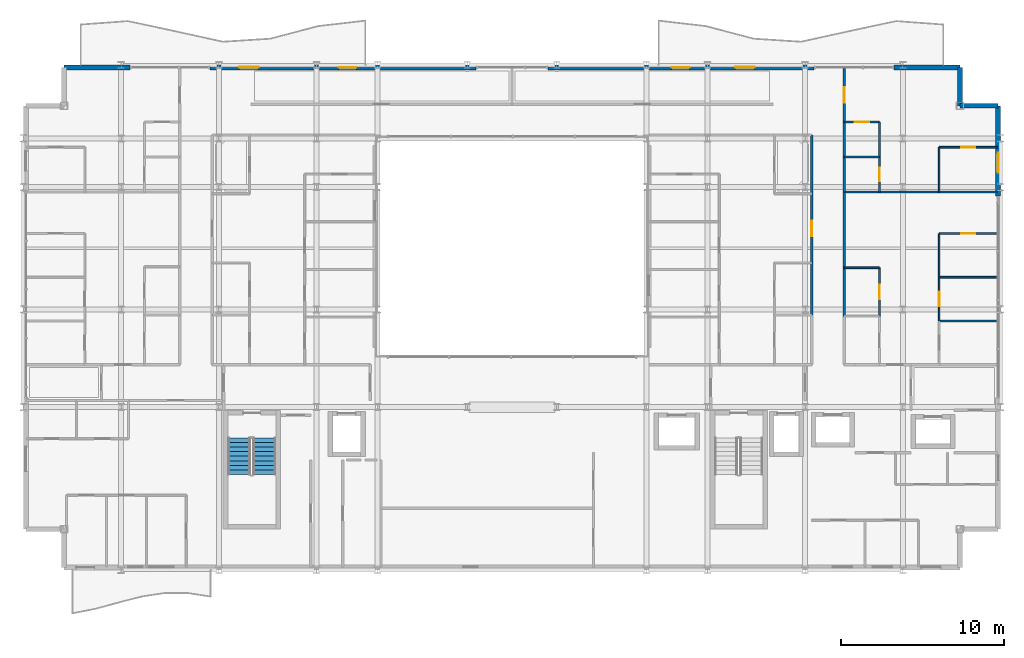
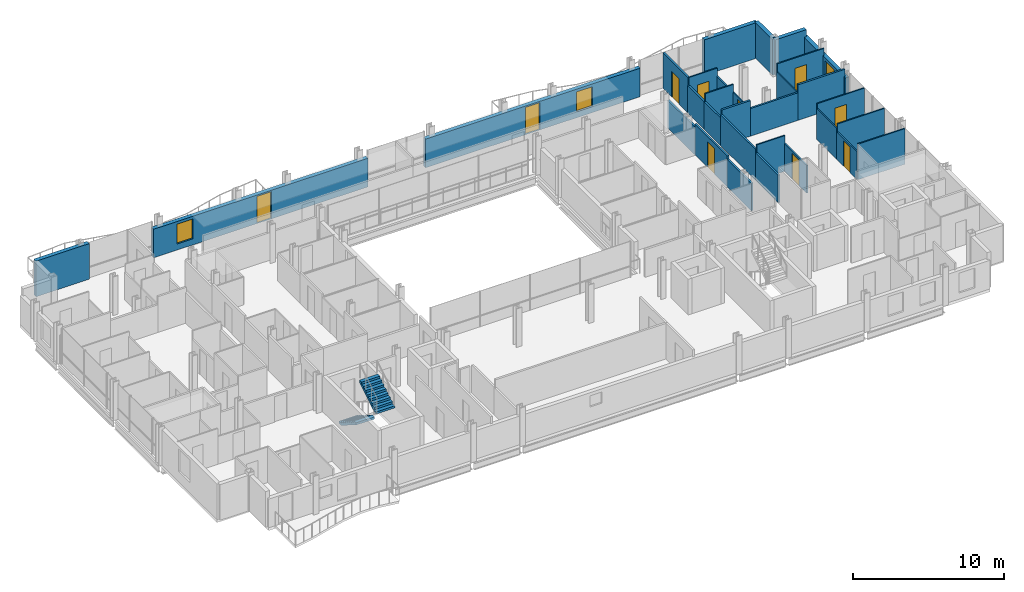
# One storey, part 36 of 41: 31 walls, 10 doors, 3 windows, 2 stair flights, 13 openings, 1 element without a shape of its own.
"""IFC4 building model written with IfcOpenShell, lengths in metres."""

from ifc_helpers import new_model, si_unit, direction, frame, frame_2d, origin, place, context, subcontext, project, spatial, polyline, rectangle, outline, extrude, material, layer, layer_set, type_object, element, fill, aggregate, save


model = new_model("IFC4")

# Units and contexts
model_context = context("Model", 3, precision=1e-05, world=origin(), true_north=direction((0.0, 1.0)))
body_context = subcontext(model_context, "Body", "Model", "MODEL_VIEW")
ifc_project = project(units=[si_unit("LENGTHUNIT", "METRE"), si_unit("AREAUNIT", "SQUARE_METRE"), si_unit("VOLUMEUNIT", "CUBIC_METRE"), si_unit("PLANEANGLEUNIT", "RADIAN"), si_unit("MASSUNIT", "GRAM", prefix="KILO")], contexts=[model_context])

# Site, building, storey
site_placement = place(None, origin())
site = spatial("IfcSite", under=ifc_project, at=site_placement, CompositionType="ELEMENT")
building_placement = place(site_placement, origin())
building = spatial("IfcBuilding", under=site, at=building_placement, Name="Brevholm Reach", CompositionType="ELEMENT")
storey_placement = place(building_placement, frame((0.0, 0.0, 74.5)))
storey = spatial("IfcBuildingStorey", under=building, at=storey_placement, Name="L21", CompositionType="ELEMENT", Elevation=74.5)

# Walls
ifc_material_1 = material(Name="Concrete C40/50", Category="concrete")
ifc_layer_1 = layer(ifc_material_1, 0.300048828125)
ifc_layer_set_1 = layer_set([ifc_layer_1], Name="Concrete C40/50")
wall_type_1 = type_object("IfcWallType", Name="WAL-EXT-300", PredefinedType="STANDARD", material=ifc_layer_set_1)
for number, where, z_axis, x_axis, name in (
    (1, (59.85009765625, 28.5, 0.0), (0.0, 0.0, 1.0), (-1.0, 0.0, 0.0), "L21 Facade Wall WAL-L21-CNE1"),
    (2, (57.5, 28.5, 0.0), (0.0, 0.0, 1.0), (0.0, 1.0, 0.0), "L21 Facade Wall WAL-L21-CNE2"),
):
    element("IfcWall", number, at=place(storey_placement, frame(where, z_axis=z_axis, x_axis=x_axis)), inside=storey, type_object=wall_type_1, Name=name, PredefinedType="STANDARD", context=body_context, shape_type="SweptSolid", body=[
        extrude(rectangle(XDim=2.35009765625, YDim=0.300048828125, at=frame_2d((1.175048828125, 0.0))), origin(), (0.0, 0.0, 1.0), 2.8701171875),
    ])

# Wall, opening, window
wall_1_placement = place(storey_placement, frame((59.85009765625, 22.949951171875, 0.0), z_axis=(0.0, 0.0, 1.0), x_axis=(0.0, 1.0, 0.0)))
wall_1 = element("IfcWall", 3, at=wall_1_placement, inside=storey, type_object=wall_type_1, Name="L21 Facade Wall WAL-L21-E-N", PredefinedType="STANDARD", context=body_context, shape_type="SweptSolid", body=[
    extrude(rectangle(XDim=5.550048828125, YDim=0.300048828125, at=frame_2d((2.77490234375, 0.0))), origin(), (0.0, 0.0, 1.0), 2.305419921875),
])
opening_1_placement = place(wall_1_placement, frame((1.449951171875, 0.0, 0.485107421875)))
opening_1 = element("IfcOpeningElement", 4, at=opening_1_placement, cuts=wall_1, Name="Opening WN-08", PredefinedType="OPENING", context=body_context, shape_type="SweptSolid", body=[
    extrude(rectangle(XDim=1.199951171875, YDim=1.60009765625, at=frame_2d((0.60009765625, 0.800048828125))), frame((0.0, 0.159912109375, 0.0), z_axis=(0.0, -1.0, 0.0), x_axis=(1.0, 0.0, 0.0)), (0.0, 0.0, 1.0), 0.320068359375),
])
ifc_material_2 = material(Name="Dark Anodised Aluminium and Solar-Control IGU Glass", Category="aluminium")
window_type = type_object("IfcWindowType", Name="WIN-RES-1200", PartitioningType="SINGLE_PANEL", PredefinedType="WINDOW", material=ifc_material_2)
window_1_placement = place(opening_1_placement, origin())
window_1 = element("IfcWindow", 5, at=window_1_placement, inside=storey, type_object=window_type, Name="L21 Window WIN-L21-EN-1", OverallHeight=1.60009765625, OverallWidth=1.199951171875, PartitioningType="SINGLE_PANEL", PredefinedType="WINDOW", context=body_context, shape_type="SweptSolid", body=[
    extrude(rectangle(XDim=1.199951171875, YDim=1.60009765625, at=frame_2d((0.60009765625, 0.800048828125))), frame((0.0, 0.030029296875, 0.0), z_axis=(0.0, -1.0, 0.0), x_axis=(1.0, 0.0, 0.0)), (0.0, 0.0, 1.0), 0.06005859375),
])
fill(opening_1, window_1)

# Walls
for number, where, z_axis, x_axis, name in (
    (6, (2.5, 30.85009765625, 0.0), (0.0, 0.0, 1.0), (1.0, 0.0, 0.0), "L21 Facade Wall WAL-L21-NP-W0"),
    (7, (53.449951171875, 30.85009765625, 0.0), (0.0, 0.0, 1.0), (1.0, 0.0, 0.0), "L21 Facade Wall WAL-L21-NP-E0"),
):
    element("IfcWall", number, at=place(storey_placement, frame(where, z_axis=z_axis, x_axis=x_axis)), inside=storey, type_object=wall_type_1, Name=name, PredefinedType="STANDARD", context=body_context, shape_type="SweptSolid", body=[
        extrude(rectangle(XDim=4.050048828125, YDim=0.300048828125, at=frame_2d((2.02490234375, 0.0))), origin(), (0.0, 0.0, 1.0), 2.8701171875),
    ])

# Wall, openings, door, window
wall_2_placement = place(storey_placement, frame((11.449951171875, 30.85009765625, 0.0), z_axis=(0.0, 0.0, 1.0), x_axis=(1.0, 0.0, 0.0)))
wall_2 = element("IfcWall", 8, at=wall_2_placement, inside=storey, type_object=wall_type_1, Name="L21 Facade Wall WAL-L21-NP-WL", PredefinedType="STANDARD", context=body_context, shape_type="SweptSolid", body=[
    extrude(rectangle(XDim=16.35009765625, YDim=0.300048828125, at=frame_2d((8.175048828125, 0.0))), origin(), (0.0, 0.0, 1.0), 2.305419921875),
])
opening_2_placement = place(wall_2_placement, frame((7.89794921875, 0.0, 0.0)))
opening_2 = element("IfcOpeningElement", 9, at=opening_2_placement, cuts=wall_2, Name="Opening BD-01", PredefinedType="OPENING", context=body_context, shape_type="SweptSolid", body=[
    extrude(rectangle(XDim=1.10009765625, YDim=2.199951171875, at=frame_2d((0.550048828125, 1.10009765625))), frame((0.0, 0.159912109375, 0.0), z_axis=(0.0, -1.0, 0.0), x_axis=(1.0, 0.0, 0.0)), (0.0, 0.0, 1.0), 0.320068359375),
])
opening_3_placement = place(wall_2_placement, frame((1.800048828125, 0.0, 0.485107421875)))
opening_3 = element("IfcOpeningElement", 10, at=opening_3_placement, cuts=wall_2, Name="Opening WN-08", PredefinedType="OPENING", context=body_context, shape_type="SweptSolid", body=[
    extrude(rectangle(XDim=1.199951171875, YDim=1.60009765625, at=frame_2d((0.60009765625, 0.800048828125))), frame((0.0, 0.159912109375, 0.0), z_axis=(0.0, -1.0, 0.0), x_axis=(1.0, 0.0, 0.0)), (0.0, 0.0, 1.0), 0.320068359375),
])
ifc_material_3 = material(Name="Dark Anodised Aluminium and Triple-Glazed Glass", Category="aluminium")
door_type_1 = type_object("IfcDoorType", Name="DOR-BALC-1100", OperationType="NOTDEFINED", PredefinedType="DOOR", material=ifc_material_3)
door_1_placement = place(opening_2_placement, origin())
door_1 = element("IfcDoor", 11, at=door_1_placement, inside=storey, type_object=door_type_1, Name="L21 Exterior Door DOR-L21-BL-NW", OperationType="SINGLE_SWING_RIGHT", OverallHeight=2.199951171875, OverallWidth=1.10009765625, PredefinedType="DOOR", context=body_context, shape_type="SweptSolid", body=[
    extrude(rectangle(XDim=1.10009765625, YDim=2.199951171875, at=frame_2d((0.550048828125, 1.10009765625))), frame((0.0, 0.02490234375, 0.0), z_axis=(0.0, -1.0, 0.0), x_axis=(1.0, 0.0, 0.0)), (0.0, 0.0, 1.0), 0.050048828125),
])
fill(opening_2, door_1)
window_2_placement = place(opening_3_placement, origin())
window_2 = element("IfcWindow", 12, at=window_2_placement, inside=storey, type_object=window_type, Name="L21 Window WIN-L21-NP-WL1", OverallHeight=1.60009765625, OverallWidth=1.199951171875, PartitioningType="SINGLE_PANEL", PredefinedType="WINDOW", context=body_context, shape_type="SweptSolid", body=[
    extrude(rectangle(XDim=1.199951171875, YDim=1.60009765625, at=frame_2d((0.60009765625, 0.800048828125))), frame((0.0, 0.030029296875, 0.0), z_axis=(0.0, -1.0, 0.0), x_axis=(1.0, 0.0, 0.0)), (0.0, 0.0, 1.0), 0.06005859375),
])
fill(opening_3, window_2)

wall_3_placement = place(storey_placement, frame((32.199951171875, 30.85009765625, 0.0), z_axis=(0.0, 0.0, 1.0), x_axis=(1.0, 0.0, 0.0)))
wall_3 = element("IfcWall", 13, at=wall_3_placement, inside=storey, type_object=wall_type_1, Name="L21 Facade Wall WAL-L21-NP-ER", PredefinedType="STANDARD", context=body_context, shape_type="SweptSolid", body=[
    extrude(rectangle(XDim=16.35009765625, YDim=0.300048828125, at=frame_2d((8.175048828125, 0.0))), origin(), (0.0, 0.0, 1.0), 2.305419921875),
])
opening_4_placement = place(wall_3_placement, frame((7.60009765625, 0.0, 0.0)))
opening_4 = element("IfcOpeningElement", 14, at=opening_4_placement, cuts=wall_3, Name="Opening BD-01", PredefinedType="OPENING", context=body_context, shape_type="SweptSolid", body=[
    extrude(rectangle(XDim=1.10009765625, YDim=2.199951171875, at=frame_2d((0.550048828125, 1.10009765625))), frame((0.0, 0.159912109375, 0.0), z_axis=(0.0, -1.0, 0.0), x_axis=(1.0, 0.0, 0.0)), (0.0, 0.0, 1.0), 0.320068359375),
])
opening_5_placement = place(wall_3_placement, frame((11.5, 0.0, 0.485107421875)))
opening_5 = element("IfcOpeningElement", 15, at=opening_5_placement, cuts=wall_3, Name="Opening WN-08", PredefinedType="OPENING", context=body_context, shape_type="SweptSolid", body=[
    extrude(rectangle(XDim=1.199951171875, YDim=1.60009765625, at=frame_2d((0.60009765625, 0.800048828125))), frame((0.0, 0.159912109375, 0.0), z_axis=(0.0, -1.0, 0.0), x_axis=(1.0, 0.0, 0.0)), (0.0, 0.0, 1.0), 0.320068359375),
])
door_2_placement = place(opening_4_placement, origin())
door_2 = element("IfcDoor", 16, at=door_2_placement, inside=storey, type_object=door_type_1, Name="L21 Exterior Door DOR-L21-BL-NE", OperationType="SINGLE_SWING_LEFT", OverallHeight=2.199951171875, OverallWidth=1.10009765625, PredefinedType="DOOR", context=body_context, shape_type="SweptSolid", body=[
    extrude(rectangle(XDim=1.10009765625, YDim=2.199951171875, at=frame_2d((0.550048828125, 1.10009765625))), frame((0.0, 0.02490234375, 0.0), z_axis=(0.0, -1.0, 0.0), x_axis=(1.0, 0.0, 0.0)), (0.0, 0.0, 1.0), 0.050048828125),
])
fill(opening_4, door_2)
window_3_placement = place(opening_5_placement, origin())
window_3 = element("IfcWindow", 17, at=window_3_placement, inside=storey, type_object=window_type, Name="L21 Window WIN-L21-NP-ER1", OverallHeight=1.60009765625, OverallWidth=1.199951171875, PartitioningType="SINGLE_PANEL", PredefinedType="WINDOW", context=body_context, shape_type="SweptSolid", body=[
    extrude(rectangle(XDim=1.199951171875, YDim=1.60009765625, at=frame_2d((0.60009765625, 0.800048828125))), frame((0.0, 0.030029296875, 0.0), z_axis=(0.0, -1.0, 0.0), x_axis=(1.0, 0.0, 0.0)), (0.0, 0.0, 1.0), 0.06005859375),
])
fill(opening_5, window_3)

# Wall, opening, door
ifc_material_4 = material(Name="Moisture-Resistant Acoustic Gypsum Stud Partition 100 mm", Category="gypsum")
ifc_layer_2 = layer(ifc_material_4, 0.10009765625)
ifc_layer_set_2 = layer_set([ifc_layer_2], Name="Moisture-Resistant Acoustic Gypsum Stud Partition 100 mm")
wall_type_2 = type_object("IfcWallType", Name="WAL-PRT-100", PredefinedType="PARTITIONING", material=ifc_layer_set_2)
wall_4_placement = place(storey_placement, frame((52.56201171875, 15.5859375, 0.0), z_axis=(0.0, 0.0, 1.0), x_axis=(0.0, 1.0, 0.0)))
wall_4 = element("IfcWall", 18, at=wall_4_placement, inside=storey, type_object=wall_type_2, Name="L21 Internal Partition 136", PredefinedType="PARTITIONING", context=body_context, shape_type="SweptSolid", body=[
    extrude(rectangle(XDim=2.964111328125, YDim=0.10009765625, at=frame_2d((1.48193359375, 0.0))), origin(), (0.0, 0.0, 1.0), 2.224853515625),
])
opening_6_placement = place(wall_4_placement, frame((1.0419921875, 0.0, 0.0)))
opening_6 = element("IfcOpeningElement", 19, at=opening_6_placement, cuts=wall_4, Name="Opening ID-01", PredefinedType="OPENING", context=body_context, shape_type="SweptSolid", body=[
    extrude(rectangle(XDim=0.8798828125, YDim=2.0400390625, at=frame_2d((0.43994140625, 1.02001953125))), frame((0.0, 0.06005859375, 0.0), z_axis=(0.0, -1.0, 0.0), x_axis=(1.0, 0.0, 0.0)), (0.0, 0.0, 1.0), 0.1201171875),
])
ifc_material_5 = material(Name="Lacquered Ash Solid-Core Acoustic Internal Door", Category="timber")
door_type_2 = type_object("IfcDoorType", Name="DOR-INT-880", OperationType="NOTDEFINED", PredefinedType="DOOR", material=ifc_material_5)
door_3_placement = place(opening_6_placement, origin())
door_3 = element("IfcDoor", 20, at=door_3_placement, inside=storey, type_object=door_type_2, Name="L21 Internal Door 053", OperationType="SINGLE_SWING_LEFT", OverallHeight=2.0400390625, OverallWidth=0.8798828125, PredefinedType="DOOR", context=body_context, shape_type="SweptSolid", body=[
    extrude(rectangle(XDim=0.8798828125, YDim=2.0400390625, at=frame_2d((0.43994140625, 1.02001953125))), frame((0.0, 0.02490234375, 0.0), z_axis=(0.0, -1.0, 0.0), x_axis=(1.0, 0.0, 0.0)), (0.0, 0.0, 1.0), 0.050048828125),
])
fill(opening_6, door_3)

# Walls
wall_5_placement = place(storey_placement, frame((50.404052734375, 18.550048828125, 0.0), z_axis=(0.0, 0.0, 1.0), x_axis=(1.0, 0.0, 0.0)))
element("IfcWall", 21, at=wall_5_placement, inside=storey, type_object=wall_type_2, Name="L21 Internal Partition 137", PredefinedType="PARTITIONING", context=body_context, shape_type="SweptSolid", body=[
    extrude(rectangle(XDim=2.157958984375, YDim=0.10009765625, at=frame_2d((1.0791015625, 0.0))), origin(), (0.0, 0.0, 1.0), 2.8701171875),
])
for number, where, z_axis, x_axis, name in (
    (22, (56.22802734375, 15.284912109375, 0.0), (0.0, 0.0, 1.0), (1.0, 0.0, 0.0), "L21 Internal Partition 138"),
    (23, (56.22802734375, 17.969970703125, 0.0), (0.0, 0.0, 1.0), (1.0, 0.0, 0.0), "L21 Internal Partition 140"),
):
    element("IfcWall", number, at=place(storey_placement, frame(where, z_axis=z_axis, x_axis=x_axis)), inside=storey, type_object=wall_type_2, Name=name, PredefinedType="PARTITIONING", context=body_context, shape_type="SweptSolid", body=[
        extrude(rectangle(XDim=3.572021484375, YDim=0.10009765625, at=frame_2d((1.7861328125, 0.0))), origin(), (0.0, 0.0, 1.0), 2.8701171875),
    ])

# Wall, opening, door
wall_6_placement = place(storey_placement, frame((56.22802734375, 15.2890625, 0.0), z_axis=(0.0, 0.0, 1.0), x_axis=(0.0, 1.0, 0.0)))
wall_6 = element("IfcWall", 24, at=wall_6_placement, inside=storey, type_object=wall_type_2, Name="L21 Internal Partition 141", PredefinedType="PARTITIONING", context=body_context, shape_type="SweptSolid", body=[
    extrude(rectangle(XDim=2.680908203125, YDim=0.10009765625, at=frame_2d((1.34033203125, 0.0))), origin(), (0.0, 0.0, 1.0), 2.224853515625),
])
opening_7_placement = place(wall_6_placement, frame((0.900390625, 0.0, 0.0)))
opening_7 = element("IfcOpeningElement", 25, at=opening_7_placement, cuts=wall_6, Name="Opening ID-01", PredefinedType="OPENING", context=body_context, shape_type="SweptSolid", body=[
    extrude(rectangle(XDim=0.8798828125, YDim=2.0400390625, at=frame_2d((0.43994140625, 1.02001953125))), frame((0.0, 0.06005859375, 0.0), z_axis=(0.0, -1.0, 0.0), x_axis=(1.0, 0.0, 0.0)), (0.0, 0.0, 1.0), 0.1201171875),
])
door_4_placement = place(opening_7_placement, origin())
door_4 = element("IfcDoor", 26, at=door_4_placement, inside=storey, type_object=door_type_2, Name="L21 Internal Door 055", OperationType="SINGLE_SWING_LEFT", OverallHeight=2.0400390625, OverallWidth=0.8798828125, PredefinedType="DOOR", context=body_context, shape_type="SweptSolid", body=[
    extrude(rectangle(XDim=0.8798828125, YDim=2.0400390625, at=frame_2d((0.43994140625, 1.02001953125))), frame((0.0, 0.02490234375, 0.0), z_axis=(0.0, -1.0, 0.0), x_axis=(1.0, 0.0, 0.0)), (0.0, 0.0, 1.0), 0.050048828125),
])
fill(opening_7, door_4)

wall_7_placement = place(storey_placement, frame((56.22802734375, 20.655029296875, 0.0), z_axis=(0.0, 0.0, 1.0), x_axis=(1.0, 0.0, 0.0)))
wall_7 = element("IfcWall", 27, at=wall_7_placement, inside=storey, type_object=wall_type_2, Name="L21 Internal Partition 142", PredefinedType="PARTITIONING", context=body_context, shape_type="SweptSolid", body=[
    extrude(rectangle(XDim=3.572021484375, YDim=0.10009765625, at=frame_2d((1.7861328125, 0.0))), origin(), (0.0, 0.0, 1.0), 2.8701171875),
])
opening_8_placement = place(wall_7_placement, frame((1.345947265625, 0.0, 0.0)))
opening_8 = element("IfcOpeningElement", 28, at=opening_8_placement, cuts=wall_7, Name="Opening ID-01", PredefinedType="OPENING", context=body_context, shape_type="SweptSolid", body=[
    extrude(rectangle(XDim=0.8798828125, YDim=2.0400390625, at=frame_2d((0.43994140625, 1.02001953125))), frame((0.0, 0.06005859375, 0.0), z_axis=(0.0, -1.0, 0.0), x_axis=(1.0, 0.0, 0.0)), (0.0, 0.0, 1.0), 0.1201171875),
])
door_5_placement = place(opening_8_placement, origin())
door_5 = element("IfcDoor", 29, at=door_5_placement, inside=storey, type_object=door_type_2, Name="L21 Internal Door 056", OperationType="SINGLE_SWING_RIGHT", OverallHeight=2.0400390625, OverallWidth=0.8798828125, PredefinedType="DOOR", context=body_context, shape_type="SweptSolid", body=[
    extrude(rectangle(XDim=0.8798828125, YDim=2.0400390625, at=frame_2d((0.43994140625, 1.02001953125))), frame((0.0, 0.02490234375, 0.0), z_axis=(0.0, -1.0, 0.0), x_axis=(1.0, 0.0, 0.0)), (0.0, 0.0, 1.0), 0.050048828125),
])
fill(opening_8, door_5)

# Walls
wall_8_placement = place(storey_placement, frame((56.22802734375, 17.97412109375, 0.0), z_axis=(0.0, 0.0, 1.0), x_axis=(0.0, 1.0, 0.0)))
element("IfcWall", 30, at=wall_8_placement, inside=storey, type_object=wall_type_2, Name="L21 Internal Partition 143", PredefinedType="PARTITIONING", context=body_context, shape_type="SweptSolid", body=[
    extrude(rectangle(XDim=2.680908203125, YDim=0.10009765625, at=frame_2d((1.34033203125, 0.0))), origin(), (0.0, 0.0, 1.0), 2.489990234375),
])
wall_9_placement = place(storey_placement, frame((50.404052734375, 25.35009765625, 0.0), z_axis=(0.0, 0.0, 1.0), x_axis=(1.0, 0.0, 0.0)))
element("IfcWall", 31, at=wall_9_placement, inside=storey, type_object=wall_type_2, Name="L21 Internal Partition 147", PredefinedType="PARTITIONING", context=body_context, shape_type="SweptSolid", body=[
    extrude(rectangle(XDim=2.157958984375, YDim=0.10009765625, at=frame_2d((1.0791015625, 0.0))), origin(), (0.0, 0.0, 1.0), 2.8701171875),
])

# Wall, opening, door
wall_10_placement = place(storey_placement, frame((52.56201171875, 23.2041015625, 0.0), z_axis=(0.0, 0.0, 1.0), x_axis=(0.0, 1.0, 0.0)))
wall_10 = element("IfcWall", 32, at=wall_10_placement, inside=storey, type_object=wall_type_2, Name="L21 Internal Partition 148", PredefinedType="PARTITIONING", context=body_context, shape_type="SweptSolid", body=[
    extrude(rectangle(XDim=2.14599609375, YDim=0.10009765625, at=frame_2d((1.072998046875, 0.0))), origin(), (0.0, 0.0, 1.0), 2.224853515625),
])
opening_9_placement = place(wall_10_placement, frame((0.6630859375, 0.0, 0.0)))
opening_9 = element("IfcOpeningElement", 33, at=opening_9_placement, cuts=wall_10, Name="Opening ID-03", PredefinedType="OPENING", context=body_context, shape_type="SweptSolid", body=[
    extrude(rectangle(XDim=0.820068359375, YDim=2.02001953125, at=frame_2d((0.41015625, 1.010009765625))), frame((0.0, 0.06005859375, 0.0), z_axis=(0.0, -1.0, 0.0), x_axis=(1.0, 0.0, 0.0)), (0.0, 0.0, 1.0), 0.1201171875),
])
ifc_material_6 = material(Name="Moisture-Resistant Painted Timber Internal Bathroom Door", Category="wood")
door_type_3 = type_object("IfcDoorType", Name="DOR-BATH-820", OperationType="NOTDEFINED", PredefinedType="DOOR", material=ifc_material_6)
door_6_placement = place(opening_9_placement, origin())
door_6 = element("IfcDoor", 34, at=door_6_placement, inside=storey, type_object=door_type_3, Name="L21 Internal Door 057", OperationType="SINGLE_SWING_LEFT", OverallHeight=2.02001953125, OverallWidth=0.820068359375, PredefinedType="DOOR", context=body_context, shape_type="SweptSolid", body=[
    extrude(rectangle(XDim=0.820068359375, YDim=2.02001953125, at=frame_2d((0.41015625, 1.010009765625))), frame((0.0, 0.02490234375, 0.0), z_axis=(0.0, -1.0, 0.0), x_axis=(1.0, 0.0, 0.0)), (0.0, 0.0, 1.0), 0.050048828125),
])
fill(opening_9, door_6)

# Wall
wall_11_placement = place(storey_placement, frame((52.56201171875, 25.35400390625, 0.0), z_axis=(0.0, 0.0, 1.0), x_axis=(0.0, 1.0, 0.0)))
element("IfcWall", 35, at=wall_11_placement, inside=storey, type_object=wall_type_2, Name="L21 Internal Partition 149", PredefinedType="PARTITIONING", context=body_context, shape_type="SweptSolid", body=[
    extrude(rectangle(XDim=2.14599609375, YDim=0.10009765625, at=frame_2d((1.072998046875, 0.0))), origin(), (0.0, 0.0, 1.0), 2.224853515625),
])

# Wall, opening, door
wall_12_placement = place(storey_placement, frame((50.404052734375, 27.5, 0.0), z_axis=(0.0, 0.0, 1.0), x_axis=(1.0, 0.0, 0.0)))
wall_12 = element("IfcWall", 36, at=wall_12_placement, inside=storey, type_object=wall_type_2, Name="L21 Internal Partition 150", PredefinedType="PARTITIONING", context=body_context, shape_type="SweptSolid", body=[
    extrude(rectangle(XDim=2.157958984375, YDim=0.10009765625, at=frame_2d((1.0791015625, 0.0))), origin(), (0.0, 0.0, 1.0), 2.8701171875),
])
opening_10_placement = place(wall_12_placement, frame((0.638916015625, 0.0, 0.0)))
opening_10 = element("IfcOpeningElement", 37, at=opening_10_placement, cuts=wall_12, Name="Opening ID-01", PredefinedType="OPENING", context=body_context, shape_type="SweptSolid", body=[
    extrude(rectangle(XDim=0.8798828125, YDim=2.0400390625, at=frame_2d((0.43994140625, 1.02001953125))), frame((0.0, 0.06005859375, 0.0), z_axis=(0.0, -1.0, 0.0), x_axis=(1.0, 0.0, 0.0)), (0.0, 0.0, 1.0), 0.1201171875),
])
door_7_placement = place(opening_10_placement, origin())
door_7 = element("IfcDoor", 38, at=door_7_placement, inside=storey, type_object=door_type_2, Name="L21 Internal Door 058", OperationType="SINGLE_SWING_RIGHT", OverallHeight=2.0400390625, OverallWidth=0.8798828125, PredefinedType="DOOR", context=body_context, shape_type="SweptSolid", body=[
    extrude(rectangle(XDim=0.8798828125, YDim=2.0400390625, at=frame_2d((0.43994140625, 1.02001953125))), frame((0.0, 0.02490234375, 0.0), z_axis=(0.0, -1.0, 0.0), x_axis=(1.0, 0.0, 0.0)), (0.0, 0.0, 1.0), 0.050048828125),
])
fill(opening_10, door_7)

wall_13_placement = place(storey_placement, frame((56.22802734375, 25.949951171875, 0.0), z_axis=(0.0, 0.0, 1.0), x_axis=(1.0, 0.0, 0.0)))
wall_13 = element("IfcWall", 39, at=wall_13_placement, inside=storey, type_object=wall_type_2, Name="L21 Internal Partition 151", PredefinedType="PARTITIONING", context=body_context, shape_type="SweptSolid", body=[
    extrude(rectangle(XDim=3.572021484375, YDim=0.10009765625, at=frame_2d((1.7861328125, 0.0))), origin(), (0.0, 0.0, 1.0), 2.8701171875),
])
opening_11_placement = place(wall_13_placement, frame((1.345947265625, 0.0, 0.0)))
opening_11 = element("IfcOpeningElement", 40, at=opening_11_placement, cuts=wall_13, Name="Opening ID-01", PredefinedType="OPENING", context=body_context, shape_type="SweptSolid", body=[
    extrude(rectangle(XDim=0.8798828125, YDim=2.0400390625, at=frame_2d((0.43994140625, 1.02001953125))), frame((0.0, 0.06005859375, 0.0), z_axis=(0.0, -1.0, 0.0), x_axis=(1.0, 0.0, 0.0)), (0.0, 0.0, 1.0), 0.1201171875),
])
door_8_placement = place(opening_11_placement, origin())
door_8 = element("IfcDoor", 41, at=door_8_placement, inside=storey, type_object=door_type_2, Name="L21 Internal Door 059", OperationType="SINGLE_SWING_LEFT", OverallHeight=2.0400390625, OverallWidth=0.8798828125, PredefinedType="DOOR", context=body_context, shape_type="SweptSolid", body=[
    extrude(rectangle(XDim=0.8798828125, YDim=2.0400390625, at=frame_2d((0.43994140625, 1.02001953125))), frame((0.0, 0.02490234375, 0.0), z_axis=(0.0, -1.0, 0.0), x_axis=(1.0, 0.0, 0.0)), (0.0, 0.0, 1.0), 0.050048828125),
])
fill(opening_11, door_8)

# Walls
wall_14_placement = place(storey_placement, frame((56.22802734375, 23.2041015625, 0.0), z_axis=(0.0, 0.0, 1.0), x_axis=(0.0, 1.0, 0.0)))
element("IfcWall", 42, at=wall_14_placement, inside=storey, type_object=wall_type_2, Name="L21 Internal Partition 152", PredefinedType="PARTITIONING", context=body_context, shape_type="SweptSolid", body=[
    extrude(rectangle(XDim=2.745849609375, YDim=0.10009765625, at=frame_2d((1.373046875, 0.0))), origin(), (0.0, 0.0, 1.0), 2.224853515625),
])
ifc_material_7 = material(Name="Twin-Stud Acoustic Fire-Rated Gypsum Partition 140 mm", Category="gypsum")
ifc_layer_3 = layer(ifc_material_7, 0.139892578125)
ifc_layer_set_3 = layer_set([ifc_layer_3], Name="Twin-Stud Acoustic Fire-Rated Gypsum Partition 140 mm")
wall_type_3 = type_object("IfcWallType", Name="WAL-PRT-140", PredefinedType="PARTITIONING", material=ifc_layer_set_3)
wall_15_placement = place(storey_placement, frame((48.39990234375, 15.642578125, 0.0), z_axis=(0.0, 0.0, 1.0), x_axis=(0.0, 1.0, 0.0)))
element("IfcWall", 43, at=wall_15_placement, inside=storey, type_object=wall_type_3, Name="L21 Internal Partition 045", PredefinedType="PARTITIONING", context=body_context, shape_type="SweptSolid", body=[
    extrude(rectangle(XDim=3.21875, YDim=0.139892578125, at=frame_2d((1.609375, 0.0))), origin(), (0.0, 0.0, 1.0), 2.224853515625),
])
wall_16_placement = place(storey_placement, frame((48.39990234375, 23.088623046875, 0.0), z_axis=(0.0, 0.0, 1.0), x_axis=(0.0, 1.0, 0.0)))
element("IfcWall", 44, at=wall_16_placement, inside=storey, type_object=wall_type_3, Name="L21 Internal Partition 046", PredefinedType="PARTITIONING", context=body_context, shape_type="SweptSolid", body=[
    extrude(rectangle(XDim=3.61865234375, YDim=0.139892578125, at=frame_2d((1.809326171875, 0.0))), origin(), (0.0, 0.0, 1.0), 2.224853515625),
])

# Wall, opening, door
wall_17_placement = place(storey_placement, frame((48.39990234375, 18.8427734375, 0.0), z_axis=(0.0, 0.0, 1.0), x_axis=(0.0, 1.0, 0.0)))
wall_17 = element("IfcWall", 45, at=wall_17_placement, inside=storey, type_object=wall_type_3, Name="L21 Internal Partition 047", PredefinedType="PARTITIONING", context=body_context, shape_type="SweptSolid", body=[
    extrude(rectangle(XDim=4.2646484375, YDim=0.139892578125, at=frame_2d((2.13232421875, 0.0))), origin(), (0.0, 0.0, 1.0), 2.489990234375),
])
opening_12_placement = place(wall_17_placement, frame((1.6572265625, 0.0, 0.0)))
opening_12 = element("IfcOpeningElement", 46, at=opening_12_placement, cuts=wall_17, Name="Opening ID-30", PredefinedType="OPENING", context=body_context, shape_type="SweptSolid", body=[
    extrude(rectangle(XDim=0.949951171875, YDim=2.050048828125, at=frame_2d((0.47509765625, 1.02490234375))), frame((0.0, 0.079833984375, 0.0), z_axis=(0.0, -1.0, 0.0), x_axis=(1.0, 0.0, 0.0)), (0.0, 0.0, 1.0), 0.159912109375),
])
ifc_material_8 = material(Name="European Oak Veneered Solid-Core Fire Entrance Door", Category="timber")
door_type_4 = type_object("IfcDoorType", Name="DOR-FLT-FD30S", OperationType="NOTDEFINED", PredefinedType="DOOR", material=ifc_material_8)
door_9_placement = place(opening_12_placement, origin())
door_9 = element("IfcDoor", 47, at=door_9_placement, inside=storey, type_object=door_type_4, Name="L21 Internal Door 017", OperationType="SINGLE_SWING_LEFT", OverallHeight=2.050048828125, OverallWidth=0.949951171875, PredefinedType="DOOR", context=body_context, shape_type="SweptSolid", body=[
    extrude(rectangle(XDim=0.949951171875, YDim=2.050048828125, at=frame_2d((0.47509765625, 1.02490234375))), frame((0.0, 0.02490234375, 0.0), z_axis=(0.0, -1.0, 0.0), x_axis=(1.0, 0.0, 0.0)), (0.0, 0.0, 1.0), 0.050048828125),
])
fill(opening_12, door_9)

# Walls
wall_18_placement = place(storey_placement, frame((50.39990234375, 15.57470703125, 0.0), z_axis=(0.0, 0.0, 1.0), x_axis=(0.0, 1.0, 0.0)))
element("IfcWall", 48, at=wall_18_placement, inside=storey, type_object=wall_type_3, Name="L21 Internal Partition 049", PredefinedType="PARTITIONING", context=body_context, shape_type="SweptSolid", body=[
    extrude(rectangle(XDim=2.986572265625, YDim=0.139892578125, at=frame_2d((1.4931640625, 0.0))), origin(), (0.0, 0.0, 1.0), 2.224853515625),
])
wall_19_placement = place(storey_placement, frame((50.39990234375, 18.542724609375, 0.0), z_axis=(0.0, 0.0, 1.0), x_axis=(0.0, 1.0, 0.0)))
element("IfcWall", 49, at=wall_19_placement, inside=storey, type_object=wall_type_3, Name="L21 Internal Partition 050", PredefinedType="PARTITIONING", context=body_context, shape_type="SweptSolid", body=[
    extrude(rectangle(XDim=4.66845703125, YDim=0.139892578125, at=frame_2d((2.334228515625, 0.0))), origin(), (0.0, 0.0, 1.0), 2.489990234375),
])
wall_20_placement = place(storey_placement, frame((50.39990234375, 23.192626953125, 0.0), z_axis=(0.0, 0.0, 1.0), x_axis=(0.0, 1.0, 0.0)))
element("IfcWall", 50, at=wall_20_placement, inside=storey, type_object=wall_type_3, Name="L21 Internal Partition 051", PredefinedType="PARTITIONING", context=body_context, shape_type="SweptSolid", body=[
    extrude(rectangle(XDim=2.168701171875, YDim=0.139892578125, at=frame_2d((1.08447265625, 0.0))), origin(), (0.0, 0.0, 1.0), 2.224853515625),
])
wall_21_placement = place(storey_placement, frame((50.39990234375, 25.3427734375, 0.0), z_axis=(0.0, 0.0, 1.0), x_axis=(0.0, 1.0, 0.0)))
element("IfcWall", 51, at=wall_21_placement, inside=storey, type_object=wall_type_3, Name="L21 Internal Partition 052", PredefinedType="PARTITIONING", context=body_context, shape_type="SweptSolid", body=[
    extrude(rectangle(XDim=2.16845703125, YDim=0.139892578125, at=frame_2d((1.084228515625, 0.0))), origin(), (0.0, 0.0, 1.0), 2.224853515625),
])

# Wall, opening, door
wall_22_placement = place(storey_placement, frame((50.39990234375, 27.49267578125, 0.0), z_axis=(0.0, 0.0, 1.0), x_axis=(0.0, 1.0, 0.0)))
wall_22 = element("IfcWall", 52, at=wall_22_placement, inside=storey, type_object=wall_type_3, Name="L21 Internal Partition 053", PredefinedType="PARTITIONING", context=body_context, shape_type="SweptSolid", body=[
    extrude(rectangle(XDim=3.307373046875, YDim=0.139892578125, at=frame_2d((1.65380859375, 0.0))), origin(), (0.0, 0.0, 1.0), 2.8701171875),
])
opening_13_placement = place(wall_22_placement, frame((1.1787109375, 0.0, 0.0)))
opening_13 = element("IfcOpeningElement", 53, at=opening_13_placement, cuts=wall_22, Name="Opening ID-30", PredefinedType="OPENING", context=body_context, shape_type="SweptSolid", body=[
    extrude(rectangle(XDim=0.949951171875, YDim=2.050048828125, at=frame_2d((0.47509765625, 1.02490234375))), frame((0.0, 0.079833984375, 0.0), z_axis=(0.0, -1.0, 0.0), x_axis=(1.0, 0.0, 0.0)), (0.0, 0.0, 1.0), 0.159912109375),
])
door_10_placement = place(opening_13_placement, origin())
door_10 = element("IfcDoor", 54, at=door_10_placement, inside=storey, type_object=door_type_4, Name="L21 Internal Door 018", OperationType="SINGLE_SWING_RIGHT", OverallHeight=2.050048828125, OverallWidth=0.949951171875, PredefinedType="DOOR", context=body_context, shape_type="SweptSolid", body=[
    extrude(rectangle(XDim=0.949951171875, YDim=2.050048828125, at=frame_2d((0.47509765625, 1.02490234375))), frame((0.0, 0.02490234375, 0.0), z_axis=(0.0, -1.0, 0.0), x_axis=(1.0, 0.0, 0.0)), (0.0, 0.0, 1.0), 0.050048828125),
])
fill(opening_13, door_10)

# Walls
wall_23_placement = place(storey_placement, frame((50.404052734375, 23.199951171875, 0.0), z_axis=(0.0, 0.0, 1.0), x_axis=(1.0, 0.0, 0.0)))
element("IfcWall", 55, at=wall_23_placement, inside=storey, type_object=wall_type_3, Name="L21 Internal Partition 144", PredefinedType="PARTITIONING", context=body_context, shape_type="SweptSolid", body=[
    extrude(rectangle(XDim=2.169189453125, YDim=0.139892578125, at=frame_2d((1.08447265625, 0.0))), origin(), (0.0, 0.0, 1.0), 2.8701171875),
])
wall_24_placement = place(storey_placement, frame((56.216796875, 23.199951171875, 0.0), z_axis=(0.0, 0.0, 1.0), x_axis=(1.0, 0.0, 0.0)))
element("IfcWall", 56, at=wall_24_placement, inside=storey, type_object=wall_type_3, Name="L21 Internal Partition 145", PredefinedType="PARTITIONING", context=body_context, shape_type="SweptSolid", body=[
    extrude(rectangle(XDim=3.583251953125, YDim=0.139892578125, at=frame_2d((1.79150390625, 0.0))), origin(), (0.0, 0.0, 1.0), 2.8701171875),
])
wall_25_placement = place(storey_placement, frame((52.5546875, 23.199951171875, 0.0), z_axis=(0.0, 0.0, 1.0), x_axis=(1.0, 0.0, 0.0)))
element("IfcWall", 57, at=wall_25_placement, inside=storey, type_object=wall_type_3, Name="L21 Internal Partition 146", PredefinedType="PARTITIONING", context=body_context, shape_type="SweptSolid", body=[
    extrude(rectangle(XDim=3.6806640625, YDim=0.139892578125, at=frame_2d((1.84033203125, 0.0))), origin(), (0.0, 0.0, 1.0), 2.224853515625),
])

# Stair, stair flights
ifc_material_9 = material(Name="Precast Concrete C40/50", Category="concrete")
stair_type = type_object("IfcStairType", Name="STR-ESC-1400", PredefinedType="DOUBLE_RETURN_STAIR", material=ifc_material_9)
stair_placement = place(storey_placement, origin())
stair = element("IfcStair", 58, at=stair_placement, inside=storey, type_object=stair_type, Name="L21 ST-1", PredefinedType="DOUBLE_RETURN_STAIR")
ifc_material_10 = material(Name="Precast Concrete C40/50", Category="concrete")
ifc_layer_4 = layer(ifc_material_10, 0.18505859375)
ifc_layer_set_4 = layer_set([ifc_layer_4], Name="Precast Concrete C40/50")
stair_flight_type = type_object("IfcStairFlightType", Name="STF-PRC-185", PredefinedType="STRAIGHT", material=ifc_layer_set_4)
stair_flight_1_placement = place(storey_placement, frame((13.25, 8.10009765625, 0.0), z_axis=(0.0, 0.0, 1.0), x_axis=(0.0, -1.0, 0.0)))
stair_flight_1 = element("IfcStairFlight", 59, at=stair_flight_1_placement, type_object=stair_flight_type, Name="ST-1 flight 1", NumberOfRisers=9, NumberOfTreads=8, PredefinedType="STRAIGHT", RiserHeight=0.172222222, TreadLength=0.28, context=body_context, shape_type="SweptSolid", body=[
    extrude(outline(polyline([(0.0, 0.0), (0.0, 0.172119140625), (0.280029296875, 0.172119140625), (0.280029296875, 0.344482421875), (0.56005859375, 0.344482421875), (0.56005859375, 0.5166015625), (0.840087890625, 0.5166015625), (0.840087890625, 0.68896484375), (1.1201171875, 0.68896484375), (1.1201171875, 0.861083984375), (1.39990234375, 0.861083984375), (1.39990234375, 1.033447265625), (1.679931640625, 1.033447265625), (1.679931640625, 1.20556640625), (1.9599609375, 1.20556640625), (1.9599609375, 1.377685546875), (2.239990234375, 1.377685546875), (2.239990234375, 1.550048828125), (2.239990234375, 1.201904296875), (0.2861328125, 0.0), (0.0, 0.0)])), frame((0.0, 0.699951171875, 0.0), z_axis=(0.0, -1.0, 0.0), x_axis=(1.0, 0.0, 0.0)), (0.0, 0.0, 1.0), 1.39990234375),
])
stair_flight_2_placement = place(storey_placement, frame((14.800048828125, 5.860107421875, 1.550048828125), z_axis=(0.0, 0.0, 1.0), x_axis=(0.0, 1.0, 0.0)))
stair_flight_2 = element("IfcStairFlight", 60, at=stair_flight_2_placement, type_object=stair_flight_type, Name="ST-1 flight 2", NumberOfRisers=9, NumberOfTreads=8, PredefinedType="STRAIGHT", RiserHeight=0.172222222, TreadLength=0.28, context=body_context, shape_type="SweptSolid", body=[
    extrude(outline(polyline([(0.0, 0.0), (0.0, 0.172119140625), (0.280029296875, 0.172119140625), (0.280029296875, 0.344482421875), (0.56005859375, 0.344482421875), (0.56005859375, 0.5166015625), (0.840087890625, 0.5166015625), (0.840087890625, 0.68896484375), (1.1201171875, 0.68896484375), (1.1201171875, 0.861083984375), (1.39990234375, 0.861083984375), (1.39990234375, 1.033447265625), (1.679931640625, 1.033447265625), (1.679931640625, 1.20556640625), (1.9599609375, 1.20556640625), (1.9599609375, 1.377685546875), (2.239990234375, 1.377685546875), (2.239990234375, 1.550048828125), (2.239990234375, 1.201904296875), (0.2861328125, 0.0), (0.0, 0.0)])), frame((0.0, 0.699951171875, 0.0), z_axis=(0.0, -1.0, 0.0), x_axis=(1.0, 0.0, 0.0)), (0.0, 0.0, 1.0), 1.39990234375),
])
aggregate(stair, [stair_flight_1, stair_flight_2])

save(model, "model.ifc")
